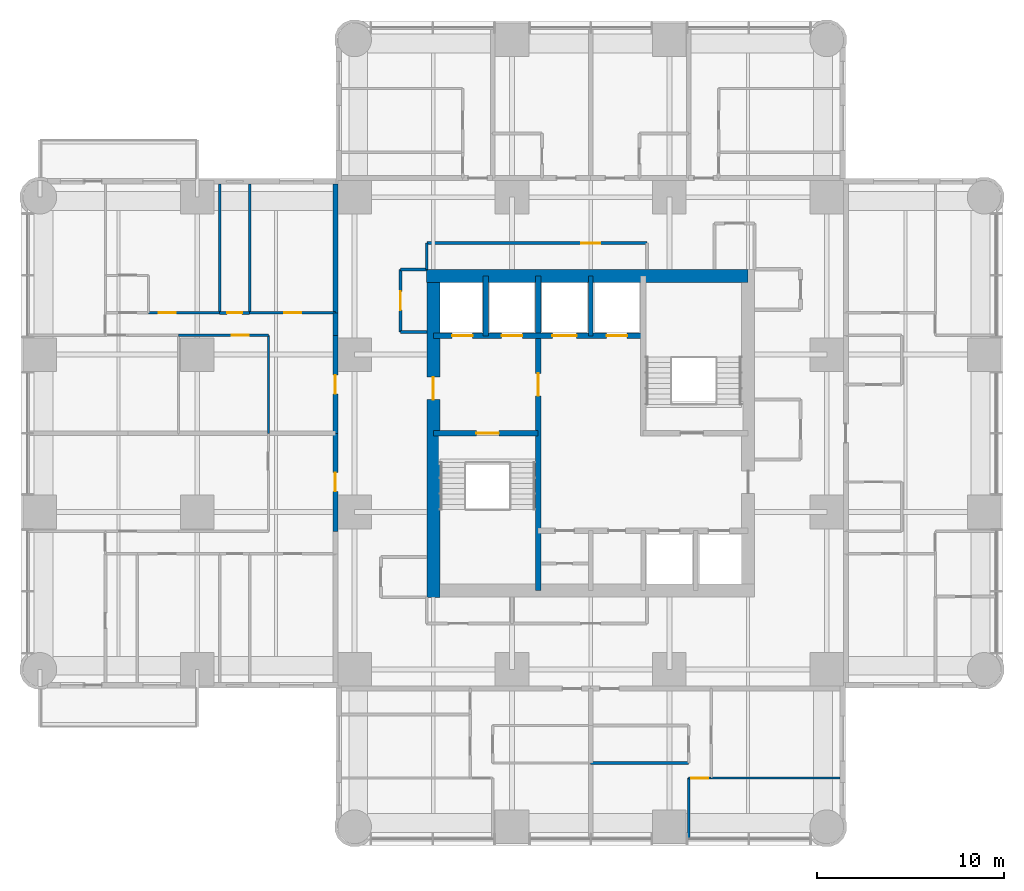
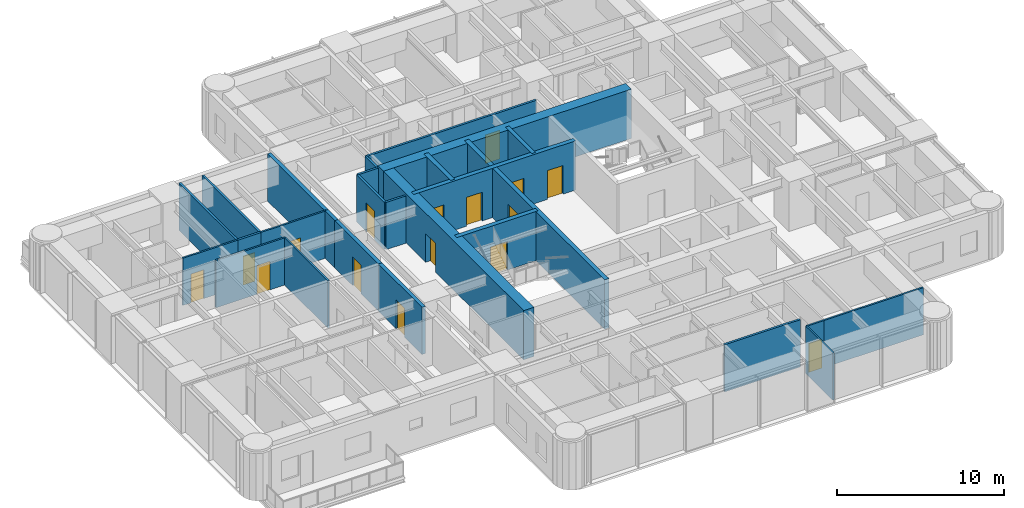
# One storey, part 6 of 11: 27 walls, 16 doors, 16 openings.
"""IFC4 building model written with IfcOpenShell, lengths in metres."""

from ifc_helpers import new_model, si_unit, direction, frame, frame_2d, origin, place, context, subcontext, project, spatial, rectangle, extrude, material, layer, layer_set, type_object, element, fill, save


model = new_model("IFC4")

# Units and contexts
model_context = context("Model", 3, precision=1e-05, world=origin(), true_north=direction((0.0, 1.0)))
body_context = subcontext(model_context, "Body", "Model", "MODEL_VIEW")
ifc_project = project(units=[si_unit("LENGTHUNIT", "METRE"), si_unit("AREAUNIT", "SQUARE_METRE"), si_unit("VOLUMEUNIT", "CUBIC_METRE"), si_unit("PLANEANGLEUNIT", "RADIAN"), si_unit("MASSUNIT", "GRAM", prefix="KILO")], contexts=[model_context])

# Site, building, storey
site_placement = place(None, origin())
site = spatial("IfcSite", under=ifc_project, at=site_placement, CompositionType="ELEMENT")
building_placement = place(site_placement, origin())
building = spatial("IfcBuilding", under=site, at=building_placement, Name="Torre Alcanfor", CompositionType="ELEMENT")
storey_placement = place(building_placement, frame((0.0, 0.0, 186.89990234375)))
storey = spatial("IfcBuildingStorey", under=building, at=storey_placement, Name="L48", CompositionType="ELEMENT", Elevation=186.89990234375)

# Wall, opening, door
ifc_material_1 = material(Name="Concrete block masonry, hollow blocks NMX-C-404 9 MPa", Category="masonry")
ifc_layer_1 = layer(ifc_material_1, 0.25)
ifc_layer_set_1 = layer_set([ifc_layer_1], Name="Apartment entrance wall 250 EI 60")
wall_type_1 = type_object("IfcWallType", Name="Apartment entrance wall 250 EI 60", PredefinedType="PARTITIONING", material=ifc_layer_set_1)
wall_1_placement = place(storey_placement, frame((15.77490234375, 24.1708984375, 0.0), z_axis=(0.0, 0.0, 1.0), x_axis=(0.0, 1.0, 0.0)))
wall_1 = element("IfcWall", 1, at=wall_1_placement, inside=storey, type_object=wall_type_1, Name="Partition L48-CORR / L48-W1-ZAG", PredefinedType="PARTITIONING", context=body_context, shape_type="SweptSolid", body=[
    extrude(rectangle(XDim=5.22900390625, YDim=0.25, at=frame_2d((2.614501953125, 0.0))), origin(), (0.0, 0.0, 1.0), 3.4501953125),
])
opening_1_placement = place(wall_1_placement, frame((2.12890625, 0.0, 0.0)))
opening_1 = element("IfcOpeningElement", 2, at=opening_1_placement, cuts=wall_1, Name="Opening D-A1", PredefinedType="OPENING", context=body_context, shape_type="SweptSolid", body=[
    extrude(rectangle(XDim=1.0, YDim=2.10009765625, at=frame_2d((0.5, 1.050048828125))), frame((0.0, 0.135009765625, 0.0), z_axis=(0.0, -1.0, 0.0), x_axis=(1.0, 0.0, 0.0)), (0.0, 0.0, 1.0), 0.27001953125),
])
ifc_material_2 = material(Name="Galvanised steel sheet ASTM A653", Category="steel")
door_type_1 = type_object("IfcDoorType", Name="Apartment entrance door FD60 1000x2100", OperationType="SINGLE_SWING_LEFT", PredefinedType="DOOR", material=ifc_material_2)
door_1_placement = place(opening_1_placement, origin())
door_1 = element("IfcDoor", 3, at=door_1_placement, inside=storey, type_object=door_type_1, Name="Apartment entrance L48-W1", OperationType="SINGLE_SWING_RIGHT", OverallHeight=2.10009765625, OverallWidth=1.0, PredefinedType="DOOR", context=body_context, shape_type="SweptSolid", body=[
    extrude(rectangle(XDim=1.0, YDim=2.10009765625, at=frame_2d((0.5, 1.050048828125))), frame((0.0, 0.02490234375, 0.0), z_axis=(0.0, -1.0, 0.0), x_axis=(1.0, 0.0, 0.0)), (0.0, 0.0, 1.0), 0.050048828125),
])
fill(opening_1, door_1)

wall_2_placement = place(storey_placement, frame((15.77490234375, 29.39990234375, 0.0), z_axis=(0.0, 0.0, 1.0), x_axis=(0.0, 1.0, 0.0)))
wall_2 = element("IfcWall", 4, at=wall_2_placement, inside=storey, type_object=wall_type_1, Name="Partition L48-CORR / L48-W2-ZAG", PredefinedType="PARTITIONING", context=body_context, shape_type="SweptSolid", body=[
    extrude(rectangle(XDim=5.22900390625, YDim=0.25, at=frame_2d((2.614501953125, 0.0))), origin(), (0.0, 0.0, 1.0), 3.4501953125),
])
opening_2_placement = place(wall_2_placement, frame((2.10009765625, 0.0, 0.0)))
opening_2 = element("IfcOpeningElement", 5, at=opening_2_placement, cuts=wall_2, Name="Opening D-A1", PredefinedType="OPENING", context=body_context, shape_type="SweptSolid", body=[
    extrude(rectangle(XDim=1.0, YDim=2.10009765625, at=frame_2d((0.5, 1.050048828125))), frame((0.0, 0.135009765625, 0.0), z_axis=(0.0, -1.0, 0.0), x_axis=(1.0, 0.0, 0.0)), (0.0, 0.0, 1.0), 0.27001953125),
])
door_2_placement = place(opening_2_placement, origin())
door_2 = element("IfcDoor", 6, at=door_2_placement, inside=storey, type_object=door_type_1, Name="Apartment entrance L48-W2", OperationType="SINGLE_SWING_LEFT", OverallHeight=2.10009765625, OverallWidth=1.0, PredefinedType="DOOR", context=body_context, shape_type="SweptSolid", body=[
    extrude(rectangle(XDim=1.0, YDim=2.10009765625, at=frame_2d((0.5, 1.050048828125))), frame((0.0, 0.02490234375, 0.0), z_axis=(0.0, -1.0, 0.0), x_axis=(1.0, 0.0, 0.0)), (0.0, 0.0, 1.0), 0.050048828125),
])
fill(opening_2, door_2)

# Walls
wall_3_placement = place(storey_placement, frame((15.77490234375, 34.62890625, 0.0), z_axis=(0.0, 0.0, 1.0), x_axis=(0.0, 1.0, 0.0)))
element("IfcWall", 7, at=wall_3_placement, inside=storey, type_object=wall_type_1, Name="Partition L48-CORR / L48-W2-HALL", PredefinedType="PARTITIONING", context=body_context, shape_type="SweptSolid", body=[
    extrude(rectangle(XDim=1.2001953125, YDim=0.25, at=frame_2d((0.60009765625, 0.0))), origin(), (0.0, 0.0, 1.0), 3.4501953125),
])
wall_4_placement = place(storey_placement, frame((15.77490234375, 35.8291015625, 0.0), z_axis=(0.0, 0.0, 1.0), x_axis=(0.0, 1.0, 0.0)))
element("IfcWall", 8, at=wall_4_placement, inside=storey, type_object=wall_type_1, Name="Partition L48-CORR / L48-W2-BED2", PredefinedType="PARTITIONING", context=body_context, shape_type="SweptSolid", body=[
    extrude(rectangle(XDim=6.870849609375, YDim=0.25, at=frame_2d((3.435546875, 0.0))), origin(), (0.0, 0.0, 1.0), 3.4501953125),
])

# Wall, opening, door
ifc_material_3 = material(Name="Gypsum board on steel studs", Category="steel")
ifc_layer_2 = layer(ifc_material_3, 0.1201171875)
ifc_layer_set_2 = layer_set([ifc_layer_2], Name="Apartment partition 120")
wall_type_2 = type_object("IfcWallType", Name="Apartment partition 120", PredefinedType="PARTITIONING", material=ifc_layer_set_2)
wall_5_placement = place(storey_placement, frame((35.8291015625, 11.0, 0.0), z_axis=(0.0, 0.0, 1.0), x_axis=(-1.0, 0.0, 0.0)))
wall_5 = element("IfcWall", 9, at=wall_5_placement, inside=storey, type_object=wall_type_2, Name="Partition L48-S1-LIVING / L48-S1-MASTER", PredefinedType="PARTITIONING", context=body_context, shape_type="SweptSolid", body=[
    extrude(rectangle(XDim=1.2001953125, YDim=0.1201171875, at=frame_2d((0.60009765625, 0.0))), origin(), (0.0, 0.0, 1.0), 3.4501953125),
])
opening_3_placement = place(wall_5_placement, frame((0.14892578125, 0.0, 0.0)))
opening_3 = element("IfcOpeningElement", 10, at=opening_3_placement, cuts=wall_5, Name="Opening D-R1", PredefinedType="OPENING", context=body_context, shape_type="SweptSolid", body=[
    extrude(rectangle(XDim=0.89990234375, YDim=2.10009765625, at=frame_2d((0.449951171875, 1.050048828125))), frame((0.0, 0.070068359375, 0.0), z_axis=(0.0, -1.0, 0.0), x_axis=(1.0, 0.0, 0.0)), (0.0, 0.0, 1.0), 0.14013671875),
])
ifc_material_4 = material(Name="Timber", Category="wood")
door_type_2 = type_object("IfcDoorType", Name="Internal door 900x2100", OperationType="SINGLE_SWING_LEFT", PredefinedType="DOOR", material=ifc_material_4)
door_3_placement = place(opening_3_placement, origin())
door_3 = element("IfcDoor", 11, at=door_3_placement, inside=storey, type_object=door_type_2, Name="Door L48-S1 master", OperationType="SINGLE_SWING_RIGHT", OverallHeight=2.10009765625, OverallWidth=0.89990234375, PredefinedType="DOOR", context=body_context, shape_type="SweptSolid", body=[
    extrude(rectangle(XDim=0.89990234375, YDim=2.10009765625, at=frame_2d((0.449951171875, 1.050048828125))), frame((0.0, 0.02490234375, 0.0), z_axis=(0.0, -1.0, 0.0), x_axis=(1.0, 0.0, 0.0)), (0.0, 0.0, 1.0), 0.050048828125),
])
fill(opening_3, door_3)

# Walls
wall_6_placement = place(storey_placement, frame((34.62890625, 11.0, 0.0), z_axis=(0.0, 0.0, 1.0), x_axis=(0.0, -1.0, 0.0)))
element("IfcWall", 12, at=wall_6_placement, inside=storey, type_object=wall_type_2, Name="Partition L48-S1-LIVING / L48-S1-MASTER", PredefinedType="PARTITIONING", context=body_context, shape_type="SweptSolid", body=[
    extrude(rectangle(XDim=3.25, YDim=0.1201171875, at=frame_2d((1.625, 0.0))), origin(), (0.0, 0.0, 1.0), 3.4501953125),
])
wall_7_placement = place(storey_placement, frame((35.8291015625, 11.0, 0.0), z_axis=(0.0, 0.0, 1.0), x_axis=(1.0, 0.0, 0.0)))
element("IfcWall", 13, at=wall_7_placement, inside=storey, type_object=wall_type_2, Name="Partition L48-S1-BED2 / L48-S1-MASTER", PredefinedType="PARTITIONING", context=body_context, shape_type="SweptSolid", body=[
    extrude(rectangle(XDim=6.870849609375, YDim=0.1201171875, at=frame_2d((3.435546875, 0.0))), origin(), (0.0, 0.0, 1.0), 3.4501953125),
])
wall_8_placement = place(storey_placement, frame((12.199951171875, 29.39990234375, 0.0), z_axis=(0.0, 0.0, 1.0), x_axis=(0.0, 1.0, 0.0)))
element("IfcWall", 14, at=wall_8_placement, inside=storey, type_object=wall_type_2, Name="Partition L48-W2-ZAG / L48-W2-FAMILY", PredefinedType="PARTITIONING", context=body_context, shape_type="SweptSolid", body=[
    extrude(rectangle(XDim=5.22900390625, YDim=0.1201171875, at=frame_2d((2.614501953125, 0.0))), origin(), (0.0, 0.0, 1.0), 3.4501953125),
])

# Wall, opening, door
wall_9_placement = place(storey_placement, frame((7.39990234375, 34.62890625, 0.0), z_axis=(0.0, 0.0, 1.0), x_axis=(1.0, 0.0, 0.0)))
wall_9 = element("IfcWall", 15, at=wall_9_placement, inside=storey, type_object=wall_type_2, Name="Partition L48-W2-FAMILY / L48-W2-HALL", PredefinedType="PARTITIONING", context=body_context, shape_type="SweptSolid", body=[
    extrude(rectangle(XDim=4.800048828125, YDim=0.1201171875, at=frame_2d((2.39990234375, 0.0))), origin(), (0.0, 0.0, 1.0), 3.4501953125),
])
opening_4_placement = place(wall_9_placement, frame((2.85009765625, 0.0, 0.0)))
opening_4 = element("IfcOpeningElement", 16, at=opening_4_placement, cuts=wall_9, Name="Opening D-R1", PredefinedType="OPENING", context=body_context, shape_type="SweptSolid", body=[
    extrude(rectangle(XDim=0.89990234375, YDim=2.10009765625, at=frame_2d((0.449951171875, 1.050048828125))), frame((0.0, 0.070068359375, 0.0), z_axis=(0.0, -1.0, 0.0), x_axis=(1.0, 0.0, 0.0)), (0.0, 0.0, 1.0), 0.14013671875),
])
door_4_placement = place(opening_4_placement, frame((0.89990234375, 0.0, 0.0), z_axis=(0.0, 0.0, 1.0), x_axis=(-1.0, 0.0, 0.0)))
door_4 = element("IfcDoor", 17, at=door_4_placement, inside=storey, type_object=door_type_2, Name="Door L48-W2 family", OperationType="SINGLE_SWING_LEFT", OverallHeight=2.10009765625, OverallWidth=0.89990234375, PredefinedType="DOOR", context=body_context, shape_type="SweptSolid", body=[
    extrude(rectangle(XDim=0.89990234375, YDim=2.10009765625, at=frame_2d((0.449951171875, 1.050048828125))), frame((0.0, 0.025146484375, 0.0), z_axis=(0.0, -1.0, 0.0), x_axis=(1.0, 0.0, 0.0)), (0.0, 0.0, 1.0), 0.050048828125),
])
fill(opening_4, door_4)

wall_10_placement = place(storey_placement, frame((11.199951171875, 35.8291015625, 0.0), z_axis=(0.0, 0.0, 1.0), x_axis=(1.0, 0.0, 0.0)))
wall_10 = element("IfcWall", 18, at=wall_10_placement, inside=storey, type_object=wall_type_2, Name="Partition L48-W2-HALL / L48-W2-BED2", PredefinedType="PARTITIONING", context=body_context, shape_type="SweptSolid", body=[
    extrude(rectangle(XDim=4.574951171875, YDim=0.1201171875, at=frame_2d((2.28759765625, 0.0))), origin(), (0.0, 0.0, 1.0), 3.4501953125),
])
opening_5_placement = place(wall_10_placement, frame((1.85009765625, 0.0, 0.0)))
opening_5 = element("IfcOpeningElement", 19, at=opening_5_placement, cuts=wall_10, Name="Opening D-R1", PredefinedType="OPENING", context=body_context, shape_type="SweptSolid", body=[
    extrude(rectangle(XDim=0.89990234375, YDim=2.10009765625, at=frame_2d((0.449951171875, 1.050048828125))), frame((0.0, 0.070068359375, 0.0), z_axis=(0.0, -1.0, 0.0), x_axis=(1.0, 0.0, 0.0)), (0.0, 0.0, 1.0), 0.14013671875),
])
door_5_placement = place(opening_5_placement, origin())
door_5 = element("IfcDoor", 20, at=door_5_placement, inside=storey, type_object=door_type_2, Name="Door L48-W2 bed2", OperationType="SINGLE_SWING_RIGHT", OverallHeight=2.10009765625, OverallWidth=0.89990234375, PredefinedType="DOOR", context=body_context, shape_type="SweptSolid", body=[
    extrude(rectangle(XDim=0.89990234375, YDim=2.10009765625, at=frame_2d((0.449951171875, 1.050048828125))), frame((0.0, 0.02490234375, 0.0), z_axis=(0.0, -1.0, 0.0), x_axis=(1.0, 0.0, 0.0)), (0.0, 0.0, 1.0), 0.050048828125),
])
fill(opening_5, door_5)

wall_11_placement = place(storey_placement, frame((5.800048828125, 35.8291015625, 0.0), z_axis=(0.0, 0.0, 1.0), x_axis=(1.0, 0.0, 0.0)))
wall_11 = element("IfcWall", 21, at=wall_11_placement, inside=storey, type_object=wall_type_2, Name="Partition L48-W2-HALL / L48-W2-MASTER", PredefinedType="PARTITIONING", context=body_context, shape_type="SweptSolid", body=[
    extrude(rectangle(XDim=3.800048828125, YDim=0.1201171875, at=frame_2d((1.89990234375, 0.0))), origin(), (0.0, 0.0, 1.0), 3.4501953125),
])
opening_6_placement = place(wall_11_placement, frame((0.550048828125, 0.0, 0.0)))
opening_6 = element("IfcOpeningElement", 22, at=opening_6_placement, cuts=wall_11, Name="Opening D-R1", PredefinedType="OPENING", context=body_context, shape_type="SweptSolid", body=[
    extrude(rectangle(XDim=0.89990234375, YDim=2.10009765625, at=frame_2d((0.449951171875, 1.050048828125))), frame((0.0, 0.070068359375, 0.0), z_axis=(0.0, -1.0, 0.0), x_axis=(1.0, 0.0, 0.0)), (0.0, 0.0, 1.0), 0.14013671875),
])
door_6_placement = place(opening_6_placement, origin())
door_6 = element("IfcDoor", 23, at=door_6_placement, inside=storey, type_object=door_type_2, Name="Door L48-W2 master", OperationType="SINGLE_SWING_LEFT", OverallHeight=2.10009765625, OverallWidth=0.89990234375, PredefinedType="DOOR", context=body_context, shape_type="SweptSolid", body=[
    extrude(rectangle(XDim=0.89990234375, YDim=2.10009765625, at=frame_2d((0.449951171875, 1.050048828125))), frame((0.0, 0.02490234375, 0.0), z_axis=(0.0, -1.0, 0.0), x_axis=(1.0, 0.0, 0.0)), (0.0, 0.0, 1.0), 0.050048828125),
])
fill(opening_6, door_6)

ifc_material_5 = material(Name="Concrete f'c 70 MPa", Category="concrete")
ifc_layer_3 = layer(ifc_material_5, 0.300048828125)
ifc_layer_set_3 = layer_set([ifc_layer_3], Name="Core inner wall 300 f'c70")
wall_type_3 = type_object("IfcWallType", Name="Core inner wall 300 f'c70", PredefinedType="SHEAR", material=ifc_layer_set_3)
wall_12_placement = place(storey_placement, frame((26.60009765625, 21.0, 0.0), z_axis=(0.0, 0.0, 1.0), x_axis=(0.0, 1.0, 0.0)))
wall_12 = element("IfcWall", 24, at=wall_12_placement, inside=storey, type_object=wall_type_3, Name="Core wall X266 L48", PredefinedType="SHEAR", context=body_context, shape_type="SweptSolid", body=[
    extrude(rectangle(XDim=16.800048828125, YDim=0.300048828125, at=frame_2d((8.39990234375, 0.0))), origin(), (0.0, 0.0, 1.0), 3.60009765625),
])
opening_7_placement = place(wall_12_placement, frame((10.39990234375, 0.0, 0.0)))
opening_7 = element("IfcOpeningElement", 25, at=opening_7_placement, cuts=wall_12, Name="Opening D-L1", PredefinedType="OPENING", context=body_context, shape_type="SweptSolid", body=[
    extrude(rectangle(XDim=1.199951171875, YDim=2.10009765625, at=frame_2d((0.60009765625, 1.050048828125))), frame((0.0, 0.159912109375, 0.0), z_axis=(0.0, -1.0, 0.0), x_axis=(1.0, 0.0, 0.0)), (0.0, 0.0, 1.0), 0.320068359375),
])
ifc_material_6 = material(Name="Galvanised steel sheet ASTM A653", Category="steel")
door_type_3 = type_object("IfcDoorType", Name="Lobby door FD120 1200x2100", OperationType="SINGLE_SWING_LEFT", PredefinedType="DOOR", material=ifc_material_6)
door_7_placement = place(opening_7_placement, origin())
door_7 = element("IfcDoor", 26, at=door_7_placement, inside=storey, type_object=door_type_3, Name="Lift lobby door L48", OperationType="SINGLE_SWING_LEFT", OverallHeight=2.10009765625, OverallWidth=1.199951171875, PredefinedType="DOOR", context=body_context, shape_type="SweptSolid", body=[
    extrude(rectangle(XDim=1.199951171875, YDim=2.10009765625, at=frame_2d((0.60009765625, 1.050048828125))), frame((0.0, 0.02490234375, 0.0), z_axis=(0.0, -1.0, 0.0), x_axis=(1.0, 0.0, 0.0)), (0.0, 0.0, 1.0), 0.050048828125),
])
fill(opening_7, door_7)

wall_13_placement = place(storey_placement, frame((21.0, 29.39990234375, 0.0), z_axis=(0.0, 0.0, 1.0), x_axis=(1.0, 0.0, 0.0)))
wall_13 = element("IfcWall", 27, at=wall_13_placement, inside=storey, type_object=wall_type_3, Name="Core wall Y294W L48", PredefinedType="SHEAR", context=body_context, shape_type="SweptSolid", body=[
    extrude(rectangle(XDim=5.60009765625, YDim=0.300048828125, at=frame_2d((2.800048828125, 0.0))), origin(), (0.0, 0.0, 1.0), 3.60009765625),
])
opening_8_placement = place(wall_13_placement, frame((2.300048828125, 0.0, 0.0)))
opening_8 = element("IfcOpeningElement", 28, at=opening_8_placement, cuts=wall_13, Name="Opening D-S2", PredefinedType="OPENING", context=body_context, shape_type="SweptSolid", body=[
    extrude(rectangle(XDim=1.199951171875, YDim=2.10009765625, at=frame_2d((0.60009765625, 1.050048828125))), frame((0.0, 0.159912109375, 0.0), z_axis=(0.0, -1.0, 0.0), x_axis=(1.0, 0.0, 0.0)), (0.0, 0.0, 1.0), 0.320068359375),
])
ifc_material_7 = material(Name="Galvanised steel sheet ASTM A653", Category="steel")
door_type_4 = type_object("IfcDoorType", Name="Stair enclosure door FD120 1200x2100", OperationType="SINGLE_SWING_LEFT", PredefinedType="DOOR", material=ifc_material_7)
door_8_placement = place(opening_8_placement, frame((1.199951171875, 0.0, 0.0), z_axis=(0.0, 0.0, 1.0), x_axis=(-1.0, 0.0, 0.0)))
door_8 = element("IfcDoor", 29, at=door_8_placement, inside=storey, type_object=door_type_4, Name="Stair S1 door L48", OperationType="SINGLE_SWING_LEFT", OverallHeight=2.10009765625, OverallWidth=1.199951171875, PredefinedType="DOOR", context=body_context, shape_type="SweptSolid", body=[
    extrude(rectangle(XDim=1.199951171875, YDim=2.10009765625, at=frame_2d((0.599853515625, 1.050048828125))), frame((0.0, 0.025146484375, 0.0), z_axis=(0.0, -1.0, 0.0), x_axis=(1.0, 0.0, 0.0)), (0.0, 0.0, 1.0), 0.050048828125),
])
fill(opening_8, door_8)

# Wall, openings, doors
wall_14_placement = place(storey_placement, frame((21.0, 34.60009765625, 0.0), z_axis=(0.0, 0.0, 1.0), x_axis=(1.0, 0.0, 0.0)))
wall_14 = element("IfcWall", 30, at=wall_14_placement, inside=storey, type_object=wall_type_3, Name="Core wall Y346 L48", PredefinedType="SHEAR", context=body_context, shape_type="SweptSolid", body=[
    extrude(rectangle(XDim=11.199951171875, YDim=0.300048828125, at=frame_2d((5.60009765625, 0.0))), origin(), (0.0, 0.0, 1.0), 3.60009765625),
])
opening_9_placement = place(wall_14_placement, frame((9.25, 0.0, 0.0)))
opening_9 = element("IfcOpeningElement", 31, at=opening_9_placement, cuts=wall_14, Name="Opening LD1", PredefinedType="OPENING", context=body_context, shape_type="SweptSolid", body=[
    extrude(rectangle(XDim=1.10009765625, YDim=2.10009765625, at=frame_2d((0.550048828125, 1.050048828125))), frame((0.0, 0.159912109375, 0.0), z_axis=(0.0, -1.0, 0.0), x_axis=(1.0, 0.0, 0.0)), (0.0, 0.0, 1.0), 0.320068359375),
])
opening_10_placement = place(wall_14_placement, frame((1.0, 0.0, 0.0)))
opening_10 = element("IfcOpeningElement", 32, at=opening_10_placement, cuts=wall_14, Name="Opening LD2", PredefinedType="OPENING", context=body_context, shape_type="SweptSolid", body=[
    extrude(rectangle(XDim=1.10009765625, YDim=2.10009765625, at=frame_2d((0.550048828125, 1.050048828125))), frame((0.0, 0.159912109375, 0.0), z_axis=(0.0, -1.0, 0.0), x_axis=(1.0, 0.0, 0.0)), (0.0, 0.0, 1.0), 0.320068359375),
])
opening_11_placement = place(wall_14_placement, frame((3.64990234375, 0.0, 0.0)))
opening_11 = element("IfcOpeningElement", 33, at=opening_11_placement, cuts=wall_14, Name="Opening LD2", PredefinedType="OPENING", context=body_context, shape_type="SweptSolid", body=[
    extrude(rectangle(XDim=1.10009765625, YDim=2.10009765625, at=frame_2d((0.550048828125, 1.050048828125))), frame((0.0, 0.159912109375, 0.0), z_axis=(0.0, -1.0, 0.0), x_axis=(1.0, 0.0, 0.0)), (0.0, 0.0, 1.0), 0.320068359375),
])
opening_12_placement = place(wall_14_placement, frame((6.35009765625, 0.0, 0.0)))
opening_12 = element("IfcOpeningElement", 34, at=opening_12_placement, cuts=wall_14, Name="Opening LD3", PredefinedType="OPENING", context=body_context, shape_type="SweptSolid", body=[
    extrude(rectangle(XDim=1.300048828125, YDim=2.10009765625, at=frame_2d((0.64990234375, 1.050048828125))), frame((0.0, 0.159912109375, 0.0), z_axis=(0.0, -1.0, 0.0), x_axis=(1.0, 0.0, 0.0)), (0.0, 0.0, 1.0), 0.320068359375),
])
ifc_material_8 = material(Name="Galvanised steel sheet ASTM A653", Category="steel")
door_type_5 = type_object("IfcDoorType", Name="Firefighting lift landing door 1100x2100", OperationType="DOUBLE_DOOR_SLIDING", PredefinedType="DOOR", material=ifc_material_8)
door_9_placement = place(opening_10_placement, origin())
door_9 = element("IfcDoor", 35, at=door_9_placement, inside=storey, type_object=door_type_5, Name="Lift landing door FL1 L48", OperationType="DOUBLE_DOOR_SLIDING", OverallHeight=2.10009765625, OverallWidth=1.10009765625, PredefinedType="DOOR", context=body_context, shape_type="SweptSolid", body=[
    extrude(rectangle(XDim=1.10009765625, YDim=2.10009765625, at=frame_2d((0.550048828125, 1.050048828125))), frame((0.0, 0.02490234375, 0.0), z_axis=(0.0, -1.0, 0.0), x_axis=(1.0, 0.0, 0.0)), (0.0, 0.0, 1.0), 0.050048828125),
])
fill(opening_10, door_9)
door_10_placement = place(opening_11_placement, origin())
door_10 = element("IfcDoor", 36, at=door_10_placement, inside=storey, type_object=door_type_5, Name="Lift landing door FL2 L48", OperationType="DOUBLE_DOOR_SLIDING", OverallHeight=2.10009765625, OverallWidth=1.10009765625, PredefinedType="DOOR", context=body_context, shape_type="SweptSolid", body=[
    extrude(rectangle(XDim=1.10009765625, YDim=2.10009765625, at=frame_2d((0.550048828125, 1.050048828125))), frame((0.0, 0.02490234375, 0.0), z_axis=(0.0, -1.0, 0.0), x_axis=(1.0, 0.0, 0.0)), (0.0, 0.0, 1.0), 0.050048828125),
])
fill(opening_11, door_10)
ifc_material_9 = material(Name="Galvanised steel sheet ASTM A653", Category="steel")
door_type_6 = type_object("IfcDoorType", Name="Lift landing door 1100x2100", OperationType="DOUBLE_DOOR_SLIDING", PredefinedType="DOOR", material=ifc_material_9)
door_11_placement = place(opening_9_placement, origin())
door_11 = element("IfcDoor", 37, at=door_11_placement, inside=storey, type_object=door_type_6, Name="Lift landing door PA5 L48", OperationType="DOUBLE_DOOR_SLIDING", OverallHeight=2.10009765625, OverallWidth=1.10009765625, PredefinedType="DOOR", context=body_context, shape_type="SweptSolid", body=[
    extrude(rectangle(XDim=1.10009765625, YDim=2.10009765625, at=frame_2d((0.550048828125, 1.050048828125))), frame((0.0, 0.02490234375, 0.0), z_axis=(0.0, -1.0, 0.0), x_axis=(1.0, 0.0, 0.0)), (0.0, 0.0, 1.0), 0.050048828125),
])
fill(opening_9, door_11)
ifc_material_10 = material(Name="Galvanised steel sheet ASTM A653", Category="steel")
door_type_7 = type_object("IfcDoorType", Name="Service lift landing door 1300x2100", OperationType="DOUBLE_DOOR_SLIDING", PredefinedType="DOOR", material=ifc_material_10)
door_12_placement = place(opening_12_placement, origin())
door_12 = element("IfcDoor", 38, at=door_12_placement, inside=storey, type_object=door_type_7, Name="Lift landing door SL1 L48", OperationType="DOUBLE_DOOR_SLIDING", OverallHeight=2.10009765625, OverallWidth=1.300048828125, PredefinedType="DOOR", context=body_context, shape_type="SweptSolid", body=[
    extrude(rectangle(XDim=1.300048828125, YDim=2.10009765625, at=frame_2d((0.64990234375, 1.050048828125))), frame((0.0, 0.02490234375, 0.0), z_axis=(0.0, -1.0, 0.0), x_axis=(1.0, 0.0, 0.0)), (0.0, 0.0, 1.0), 0.050048828125),
])
fill(opening_12, door_12)

# Walls
wall_15_placement = place(storey_placement, frame((23.800048828125, 34.60009765625, 0.0), z_axis=(0.0, 0.0, 1.0), x_axis=(0.0, 1.0, 0.0)))
element("IfcWall", 39, at=wall_15_placement, inside=storey, type_object=wall_type_3, Name="Core wall X238 L48", PredefinedType="SHEAR", context=body_context, shape_type="SweptSolid", body=[
    extrude(rectangle(XDim=3.199951171875, YDim=0.300048828125, at=frame_2d((1.60009765625, 0.0))), origin(), (0.0, 0.0, 1.0), 3.60009765625),
])
ifc_material_11 = material(Name="Concrete f'c 70 MPa", Category="concrete")
ifc_layer_4 = layer(ifc_material_11, 0.25)
ifc_layer_set_4 = layer_set([ifc_layer_4], Name="Core shaft wall 250 f'c70")
wall_type_4 = type_object("IfcWallType", Name="Core shaft wall 250 f'c70", PredefinedType="SHEAR", material=ifc_layer_set_4)
wall_16_placement = place(storey_placement, frame((29.39990234375, 34.60009765625, 0.0), z_axis=(0.0, 0.0, 1.0), x_axis=(0.0, 1.0, 0.0)))
element("IfcWall", 40, at=wall_16_placement, inside=storey, type_object=wall_type_4, Name="Core wall X294N L48", PredefinedType="SHEAR", context=body_context, shape_type="SweptSolid", body=[
    extrude(rectangle(XDim=3.199951171875, YDim=0.25, at=frame_2d((1.60009765625, 0.0))), origin(), (0.0, 0.0, 1.0), 3.60009765625),
])
ifc_material_12 = material(Name="Concrete f'c 70 MPa", Category="concrete")
ifc_layer_5 = layer(ifc_material_12, 0.699951171875)
ifc_layer_set_5 = layer_set([ifc_layer_5], Name="Core wall 700 f'c70")
wall_type_5 = type_object("IfcWallType", Name="Core wall 700 f'c70", PredefinedType="SHEAR", material=ifc_layer_set_5)
wall_17_placement = place(storey_placement, frame((37.800048828125, 37.800048828125, 0.0), z_axis=(0.0, 0.0, 1.0), x_axis=(-1.0, 0.0, 0.0)))
element("IfcWall", 41, at=wall_17_placement, inside=storey, type_object=wall_type_5, Name="Core wall OUT-N L48", PredefinedType="SHEAR", context=body_context, shape_type="SweptSolid", body=[
    extrude(rectangle(XDim=17.150146484375, YDim=0.699951171875, at=frame_2d((8.5751953125, 0.0))), origin(), (0.0, 0.0, 1.0), 3.60009765625),
])

# Wall, opening, door
wall_18_placement = place(storey_placement, frame((21.0, 37.800048828125, 0.0), z_axis=(0.0, 0.0, 1.0), x_axis=(0.0, -1.0, 0.0)))
wall_18 = element("IfcWall", 42, at=wall_18_placement, inside=storey, type_object=wall_type_5, Name="Core wall OUT-W L48", PredefinedType="SHEAR", context=body_context, shape_type="SweptSolid", body=[
    extrude(rectangle(XDim=17.150146484375, YDim=0.699951171875, at=frame_2d((8.5751953125, 0.0))), origin(), (0.0, 0.0, 1.0), 3.60009765625),
])
opening_13_placement = place(wall_18_placement, frame((5.39990234375, 0.0, 0.0)))
opening_13 = element("IfcOpeningElement", 43, at=opening_13_placement, cuts=wall_18, Name="Opening D-L1", PredefinedType="OPENING", context=body_context, shape_type="SweptSolid", body=[
    extrude(rectangle(XDim=1.199951171875, YDim=2.10009765625, at=frame_2d((0.60009765625, 1.050048828125))), frame((0.0, 0.35986328125, 0.0), z_axis=(0.0, -1.0, 0.0), x_axis=(1.0, 0.0, 0.0)), (0.0, 0.0, 1.0), 0.719970703125),
])
door_13_placement = place(opening_13_placement, origin())
door_13 = element("IfcDoor", 44, at=door_13_placement, inside=storey, type_object=door_type_3, Name="Firefighting lobby door L48", OperationType="SINGLE_SWING_LEFT", OverallHeight=2.10009765625, OverallWidth=1.199951171875, PredefinedType="DOOR", context=body_context, shape_type="SweptSolid", body=[
    extrude(rectangle(XDim=1.199951171875, YDim=2.10009765625, at=frame_2d((0.60009765625, 1.050048828125))), frame((0.0, 0.02490234375, 0.0), z_axis=(0.0, -1.0, 0.0), x_axis=(1.0, 0.0, 0.0)), (0.0, 0.0, 1.0), 0.050048828125),
])
fill(opening_13, door_13)

ifc_material_13 = material(Name="Concrete block masonry, hollow blocks NMX-C-404 9 MPa", Category="masonry")
ifc_layer_6 = layer(ifc_material_13, 0.14990234375)
ifc_layer_set_6 = layer_set([ifc_layer_6], Name="Residents' room partition 150")
wall_type_6 = type_object("IfcWallType", Name="Residents' room partition 150", PredefinedType="PARTITIONING", material=ifc_layer_set_6)
wall_19_placement = place(storey_placement, frame((32.39990234375, 39.550048828125, 0.0), z_axis=(0.0, 0.0, 1.0), x_axis=(-1.0, 0.0, 0.0)))
wall_19 = element("IfcWall", 45, at=wall_19_placement, inside=storey, type_object=wall_type_6, Name="Partition L48-CORR / L48-G01", PredefinedType="PARTITIONING", context=body_context, shape_type="SweptSolid", body=[
    extrude(rectangle(XDim=11.75, YDim=0.14990234375, at=frame_2d((5.875, 0.0))), origin(), (0.0, 0.0, 1.0), 3.4501953125),
])
opening_14_placement = place(wall_19_placement, frame((2.5, 0.0, 0.0)))
opening_14 = element("IfcOpeningElement", 46, at=opening_14_placement, cuts=wall_19, Name="Opening D-M1", PredefinedType="OPENING", context=body_context, shape_type="SweptSolid", body=[
    extrude(rectangle(XDim=1.0, YDim=2.10009765625, at=frame_2d((0.5, 1.050048828125))), frame((0.0, 0.0849609375, 0.0), z_axis=(0.0, -1.0, 0.0), x_axis=(1.0, 0.0, 0.0)), (0.0, 0.0, 1.0), 0.169921875),
])
ifc_material_14 = material(Name="Timber", Category="wood")
door_type_8 = type_object("IfcDoorType", Name="Residents' room door 1000x2100", OperationType="SINGLE_SWING_LEFT", PredefinedType="DOOR", material=ifc_material_14)
door_14_placement = place(opening_14_placement, origin())
door_14 = element("IfcDoor", 47, at=door_14_placement, inside=storey, type_object=door_type_8, Name="Door L48-G01 residents' storage", OperationType="SINGLE_SWING_LEFT", OverallHeight=2.10009765625, OverallWidth=1.0, PredefinedType="DOOR", context=body_context, shape_type="SweptSolid", body=[
    extrude(rectangle(XDim=1.0, YDim=2.10009765625, at=frame_2d((0.5, 1.050048828125))), frame((0.0, 0.02490234375, 0.0), z_axis=(0.0, -1.0, 0.0), x_axis=(1.0, 0.0, 0.0)), (0.0, 0.0, 1.0), 0.050048828125),
])
fill(opening_14, door_14)

# Walls
wall_20_placement = place(storey_placement, frame((20.64990234375, 39.550048828125, 0.0), z_axis=(0.0, 0.0, 1.0), x_axis=(0.0, -1.0, 0.0)))
element("IfcWall", 48, at=wall_20_placement, inside=storey, type_object=wall_type_6, Name="Partition L48-CORR / L48-G01", PredefinedType="PARTITIONING", context=body_context, shape_type="SweptSolid", body=[
    extrude(rectangle(XDim=1.400146484375, YDim=0.14990234375, at=frame_2d((0.7001953125, 0.0))), origin(), (0.0, 0.0, 1.0), 3.4501953125),
])
wall_21_placement = place(storey_placement, frame((20.64990234375, 38.14990234375, 0.0), z_axis=(0.0, 0.0, 1.0), x_axis=(-1.0, 0.0, 0.0)))
element("IfcWall", 49, at=wall_21_placement, inside=storey, type_object=wall_type_6, Name="Partition L48-CORR / L48-G08", PredefinedType="PARTITIONING", context=body_context, shape_type="SweptSolid", body=[
    extrude(rectangle(XDim=1.39990234375, YDim=0.14990234375, at=frame_2d((0.699951171875, 0.0))), origin(), (0.0, 0.0, 1.0), 3.4501953125),
])

# Wall, opening, door
wall_22_placement = place(storey_placement, frame((19.25, 38.14990234375, 0.0), z_axis=(0.0, 0.0, 1.0), x_axis=(0.0, -1.0, 0.0)))
wall_22 = element("IfcWall", 50, at=wall_22_placement, inside=storey, type_object=wall_type_6, Name="Partition L48-CORR / L48-G08", PredefinedType="PARTITIONING", context=body_context, shape_type="SweptSolid", body=[
    extrude(rectangle(XDim=3.349853515625, YDim=0.14990234375, at=frame_2d((1.6748046875, 0.0))), origin(), (0.0, 0.0, 1.0), 3.4501953125),
])
opening_15_placement = place(wall_22_placement, frame((1.175048828125, 0.0, 0.0)))
opening_15 = element("IfcOpeningElement", 51, at=opening_15_placement, cuts=wall_22, Name="Opening D-M1", PredefinedType="OPENING", context=body_context, shape_type="SweptSolid", body=[
    extrude(rectangle(XDim=1.0, YDim=2.10009765625, at=frame_2d((0.5, 1.050048828125))), frame((0.0, 0.0849609375, 0.0), z_axis=(0.0, -1.0, 0.0), x_axis=(1.0, 0.0, 0.0)), (0.0, 0.0, 1.0), 0.169921875),
])
door_15_placement = place(opening_15_placement, origin())
door_15 = element("IfcDoor", 52, at=door_15_placement, inside=storey, type_object=door_type_8, Name="Door L48-G08 parcel room", OperationType="SINGLE_SWING_LEFT", OverallHeight=2.10009765625, OverallWidth=1.0, PredefinedType="DOOR", context=body_context, shape_type="SweptSolid", body=[
    extrude(rectangle(XDim=1.0, YDim=2.10009765625, at=frame_2d((0.5, 1.050048828125))), frame((0.0, 0.02490234375, 0.0), z_axis=(0.0, -1.0, 0.0), x_axis=(1.0, 0.0, 0.0)), (0.0, 0.0, 1.0), 0.050048828125),
])
fill(opening_15, door_15)

# Walls
wall_23_placement = place(storey_placement, frame((19.25, 34.800048828125, 0.0), z_axis=(0.0, 0.0, 1.0), x_axis=(1.0, 0.0, 0.0)))
element("IfcWall", 53, at=wall_23_placement, inside=storey, type_object=wall_type_6, Name="Partition L48-CORR / L48-G08", PredefinedType="PARTITIONING", context=body_context, shape_type="SweptSolid", body=[
    extrude(rectangle(XDim=1.39990234375, YDim=0.14990234375, at=frame_2d((0.699951171875, 0.0))), origin(), (0.0, 0.0, 1.0), 3.4501953125),
])
ifc_material_15 = material(Name="Cement board on steel studs", Category="steel")
ifc_layer_7 = layer(ifc_material_15, 0.14990234375)
ifc_layer_set_7 = layer_set([ifc_layer_7], Name="Wet area partition 150")
wall_type_7 = type_object("IfcWallType", Name="Wet area partition 150", PredefinedType="PARTITIONING", material=ifc_layer_set_7)
wall_24_placement = place(storey_placement, frame((29.39990234375, 11.800048828125, 0.0), z_axis=(0.0, 0.0, 1.0), x_axis=(1.0, 0.0, 0.0)))
element("IfcWall", 54, at=wall_24_placement, inside=storey, type_object=wall_type_7, Name="Partition L48-S1-BATH / L48-S1-LIVING", PredefinedType="PARTITIONING", context=body_context, shape_type="SweptSolid", body=[
    extrude(rectangle(XDim=5.22900390625, YDim=0.14990234375, at=frame_2d((2.614501953125, 0.0))), origin(), (0.0, 0.0, 1.0), 3.4501953125),
])

# Wall, opening, door
wall_25_placement = place(storey_placement, frame((9.60009765625, 35.8291015625, 0.0), z_axis=(0.0, 0.0, 1.0), x_axis=(1.0, 0.0, 0.0)))
wall_25 = element("IfcWall", 55, at=wall_25_placement, inside=storey, type_object=wall_type_7, Name="Partition L48-W2-HALL / L48-W2-BATH1", PredefinedType="PARTITIONING", context=body_context, shape_type="SweptSolid", body=[
    extrude(rectangle(XDim=1.599853515625, YDim=0.14990234375, at=frame_2d((0.7998046875, 0.0))), origin(), (0.0, 0.0, 1.0), 3.4501953125),
])
opening_16_placement = place(wall_25_placement, frame((0.39990234375, 0.0, 0.0)))
opening_16 = element("IfcOpeningElement", 56, at=opening_16_placement, cuts=wall_25, Name="Opening D-R2", PredefinedType="OPENING", context=body_context, shape_type="SweptSolid", body=[
    extrude(rectangle(XDim=0.800048828125, YDim=2.10009765625, at=frame_2d((0.39990234375, 1.050048828125))), frame((0.0, 0.0849609375, 0.0), z_axis=(0.0, -1.0, 0.0), x_axis=(1.0, 0.0, 0.0)), (0.0, 0.0, 1.0), 0.169921875),
])
ifc_material_16 = material(Name="Timber", Category="wood")
door_type_9 = type_object("IfcDoorType", Name="Bathroom door 800x2100", OperationType="SINGLE_SWING_LEFT", PredefinedType="DOOR", material=ifc_material_16)
door_16_placement = place(opening_16_placement, origin())
door_16 = element("IfcDoor", 57, at=door_16_placement, inside=storey, type_object=door_type_9, Name="Door L48-W2 bath1", OperationType="SINGLE_SWING_LEFT", OverallHeight=2.10009765625, OverallWidth=0.800048828125, PredefinedType="DOOR", context=body_context, shape_type="SweptSolid", body=[
    extrude(rectangle(XDim=0.800048828125, YDim=2.10009765625, at=frame_2d((0.39990234375, 1.050048828125))), frame((0.0, 0.02490234375, 0.0), z_axis=(0.0, -1.0, 0.0), x_axis=(1.0, 0.0, 0.0)), (0.0, 0.0, 1.0), 0.050048828125),
])
fill(opening_16, door_16)

# Walls
for number, where, z_axis, x_axis, name in (
    (58, (11.199951171875, 35.8291015625, 0.0), (0.0, 0.0, 1.0), (0.0, 1.0, 0.0), "Partition L48-W2-BED2 / L48-W2-BATH1"),
    (59, (9.60009765625, 35.8291015625, 0.0), (0.0, 0.0, 1.0), (0.0, 1.0, 0.0), "Partition L48-W2-BATH1 / L48-W2-MASTER"),
):
    element("IfcWall", number, at=place(storey_placement, frame(where, z_axis=z_axis, x_axis=x_axis)), inside=storey, type_object=wall_type_7, Name=name, PredefinedType="PARTITIONING", context=body_context, shape_type="SweptSolid", body=[
        extrude(rectangle(XDim=6.870849609375, YDim=0.14990234375, at=frame_2d((3.435546875, 0.0))), origin(), (0.0, 0.0, 1.0), 3.4501953125),
    ])

save(model, "model.ifc")
